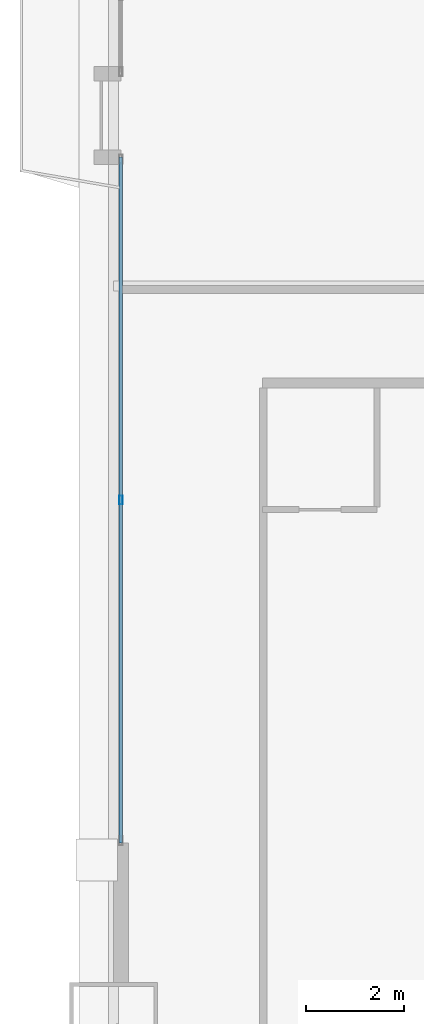
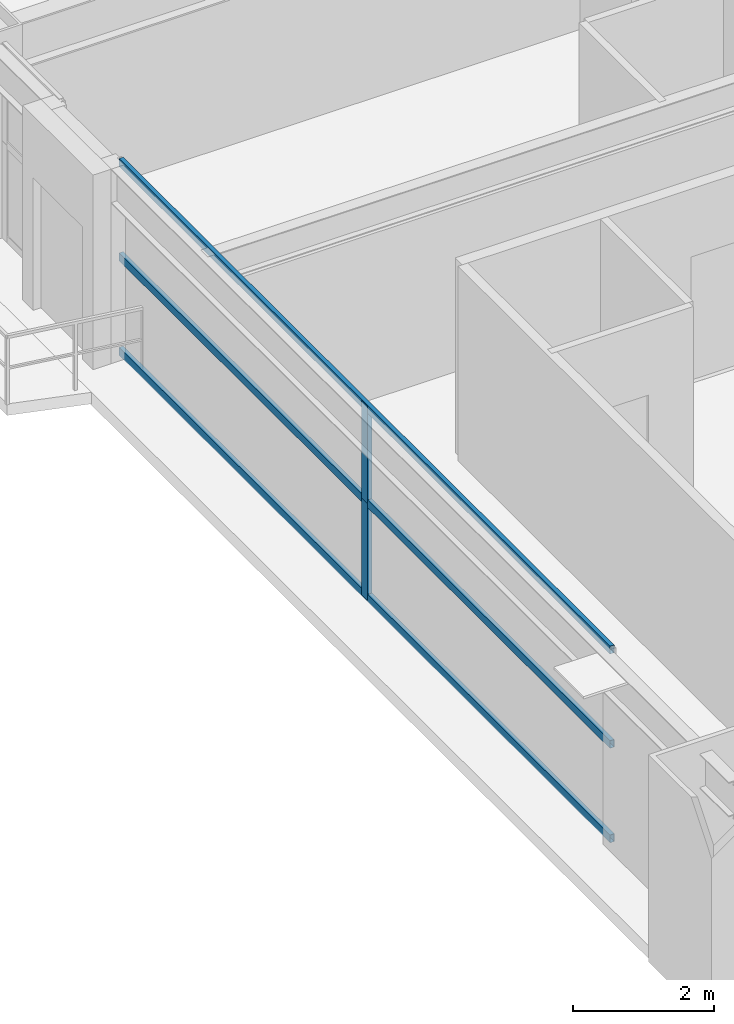
# One storey, part 7 of 46: 5 members, 1 element without a shape of its own.
"""IFC4 building model written with IfcOpenShell, lengths in metres."""

from ifc_helpers import new_model, si_unit, direction, frame, origin, origin_2d, place, context, subcontext, project, spatial, hollow_rectangle, extrude, source, transform, mapped, material, layer, layer_set, material_profile, profile_set, type_object, element, aggregate, save


model = new_model("IFC4")

# Units and contexts
model_context = context("Model", 3, precision=1e-05, world=origin(), true_north=direction((0.0, 1.0)))
body_context = subcontext(model_context, "Body", "Model", "MODEL_VIEW")
ifc_project = project(units=[si_unit("LENGTHUNIT", "METRE"), si_unit("AREAUNIT", "SQUARE_METRE"), si_unit("VOLUMEUNIT", "CUBIC_METRE"), si_unit("PLANEANGLEUNIT", "RADIAN"), si_unit("MASSUNIT", "GRAM", prefix="KILO"), si_unit("THERMODYNAMICTEMPERATUREUNIT", "KELVIN"), si_unit("POWERUNIT", "WATT")], contexts=[model_context])

# Site, building, storey
site_placement = place(None, origin())
site = spatial("IfcSite", under=ifc_project, at=site_placement, CompositionType="ELEMENT")
building_placement = place(site_placement, origin())
building = spatial("IfcBuilding", under=site, at=building_placement, Name="Yuzanri Waterfront Tower", CompositionType="ELEMENT")
storey_placement = place(building_placement, frame((0.0, 0.0, 56.800048828125)))
storey = spatial("IfcBuildingStorey", under=building, at=storey_placement, Name="L14", CompositionType="ELEMENT", Elevation=56.800048828125)

# Curtain wall, members
ifc_material_1 = material(Name="Anodized Architectural Bronze", Category="metal")
ifc_layer = layer(ifc_material_1, 0.159912109375)
ifc_layer_set = layer_set([ifc_layer], Name="Anodized Architectural Bronze")
curtain_wall_type = type_object("IfcCurtainWallType", Name="Anodized Bronze Hotel Lower-Tier Recessed Unitized Curtain Wall 8100", PredefinedType="NOTDEFINED", material=ifc_layer_set)
curtain_wall_placement = place(storey_placement, origin())
curtain_wall = element("IfcCurtainWall", 1, at=curtain_wall_placement, inside=storey, type_object=curtain_wall_type, Name="L14 Curtain Wall CW-L14-WL1", PredefinedType="NOTDEFINED")
ifc_material_2 = material(Name="Anodized Architectural Bronze", Category="metal")
ifc_material_profile_1 = material_profile(ifc_material_2, hollow_rectangle(XDim=0.070068359375, YDim=0.179931640625, WallThickness=0.00390625, at=origin_2d()), Name="CWM 70x180")
ifc_profile_set_1 = profile_set([ifc_material_profile_1], Name="Anodized Architectural Bronze")
member_type_1 = type_object("IfcMemberType", Name="Anodized Bronze Standard Curtain-Wall Mullion 70x180", PredefinedType="MULLION", material=ifc_profile_set_1)
shared_shape_1 = source(origin(), body_context, "Body", "SweptSolid", [
    extrude(hollow_rectangle(XDim=0.070068359375, YDim=0.179931640625, WallThickness=0.00390625, at=origin_2d()), origin(), (0.0, 0.0, 1.0), 1.68798828125),
])
member_1_placement = place(storey_placement, frame((12.050048828125, 15.03759765625, 0.0), z_axis=(0.0, 0.0, 1.0), x_axis=(1.0, 0.0, 0.0)))
member_1 = element("IfcMember", 2, at=member_1_placement, type_object=member_type_1, Name="CW-L14-WL1 Lower Mullion 01", PredefinedType="MULLION", context=body_context, shape_type="MappedRepresentation", body=[
    mapped(shared_shape_1, transform((0.0, 0.0, 0.0), scale=1.0)),
])
member_2_placement = place(storey_placement, frame((12.050048828125, 15.03759765625, 1.69189453125), z_axis=(0.0, 0.0, 1.0), x_axis=(1.0, 0.0, 0.0)))
member_2 = element("IfcMember", 3, at=member_2_placement, type_object=member_type_1, Name="CW-L14-WL1 Upper Mullion 01", PredefinedType="MULLION", context=body_context, shape_type="MappedRepresentation", body=[
    mapped(shared_shape_1, transform((0.0, 0.0, 0.0), scale=1.0)),
])
ifc_material_3 = material(Name="Anodized Architectural Bronze", Category="metal")
ifc_material_profile_2 = material_profile(ifc_material_3, hollow_rectangle(XDim=0.070068359375, YDim=0.135009765625, WallThickness=0.00341796875, at=origin_2d()), Name="CWT 70x135")
ifc_profile_set_2 = profile_set([ifc_material_profile_2], Name="Anodized Architectural Bronze")
member_type_2 = type_object("IfcMemberType", Name="Anodized Bronze Standard Curtain-Wall Transom 70x135", PredefinedType="USERDEFINED", material=ifc_profile_set_2)
shared_shape_2 = source(origin(), body_context, "Body", "SweptSolid", [
    extrude(hollow_rectangle(XDim=0.070068359375, YDim=0.135009765625, WallThickness=0.00341796875, at=origin_2d()), origin(), (0.0, 0.0, 1.0), 13.974853515625),
])
member_3_placement = place(storey_placement, frame((12.050048828125, 8.050048828125, 0.050048828125), z_axis=(0.0, 1.0, 0.0), x_axis=(-1.0, 0.0, 0.0)))
member_3 = element("IfcMember", 4, at=member_3_placement, type_object=member_type_2, Name="CW-L14-WL1 Transom 1", ObjectType="TRANSOM", PredefinedType="USERDEFINED", context=body_context, shape_type="MappedRepresentation", body=[
    mapped(shared_shape_2, transform((0.0, 0.0, 0.0), scale=1.0)),
])
member_4_placement = place(storey_placement, frame((12.050048828125, 8.050048828125, 1.68994140625), z_axis=(0.0, 1.0, 0.0), x_axis=(-1.0, 0.0, 0.0)))
member_4 = element("IfcMember", 5, at=member_4_placement, type_object=member_type_2, Name="CW-L14-WL1 Transom 2", ObjectType="TRANSOM", PredefinedType="USERDEFINED", context=body_context, shape_type="MappedRepresentation", body=[
    mapped(shared_shape_2, transform((0.0, 0.0, 0.0), scale=1.0)),
])
member_5_placement = place(storey_placement, frame((12.050048828125, 8.050048828125, 3.329833984375), z_axis=(0.0, 1.0, 0.0), x_axis=(-1.0, 0.0, 0.0)))
member_5 = element("IfcMember", 6, at=member_5_placement, type_object=member_type_2, Name="CW-L14-WL1 Transom 3", ObjectType="TRANSOM", PredefinedType="USERDEFINED", context=body_context, shape_type="MappedRepresentation", body=[
    mapped(shared_shape_2, transform((0.0, 0.0, 0.0), scale=1.0)),
])
aggregate(curtain_wall, [member_1, member_2, member_3, member_4, member_5])

save(model, "model.ifc")
